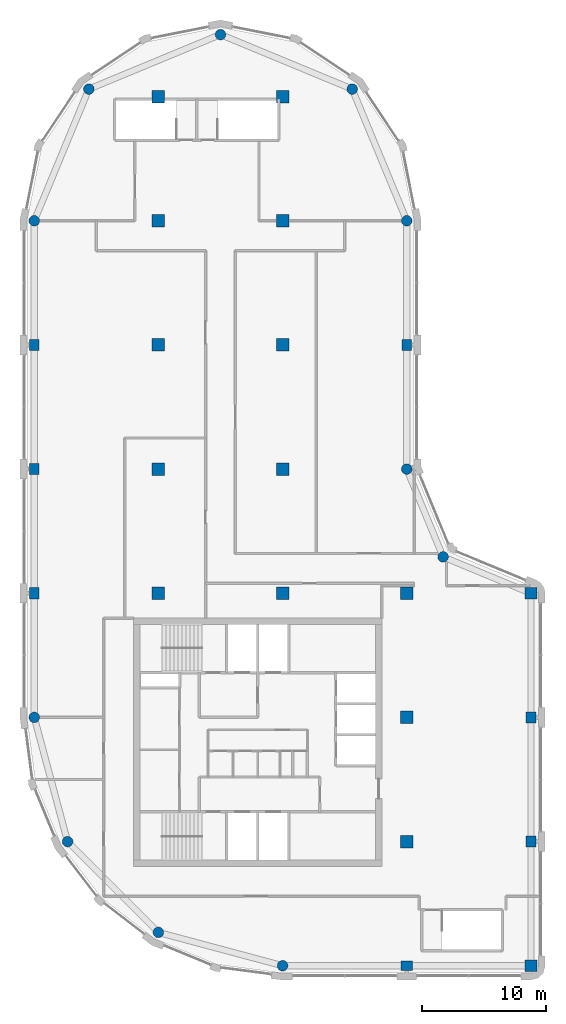
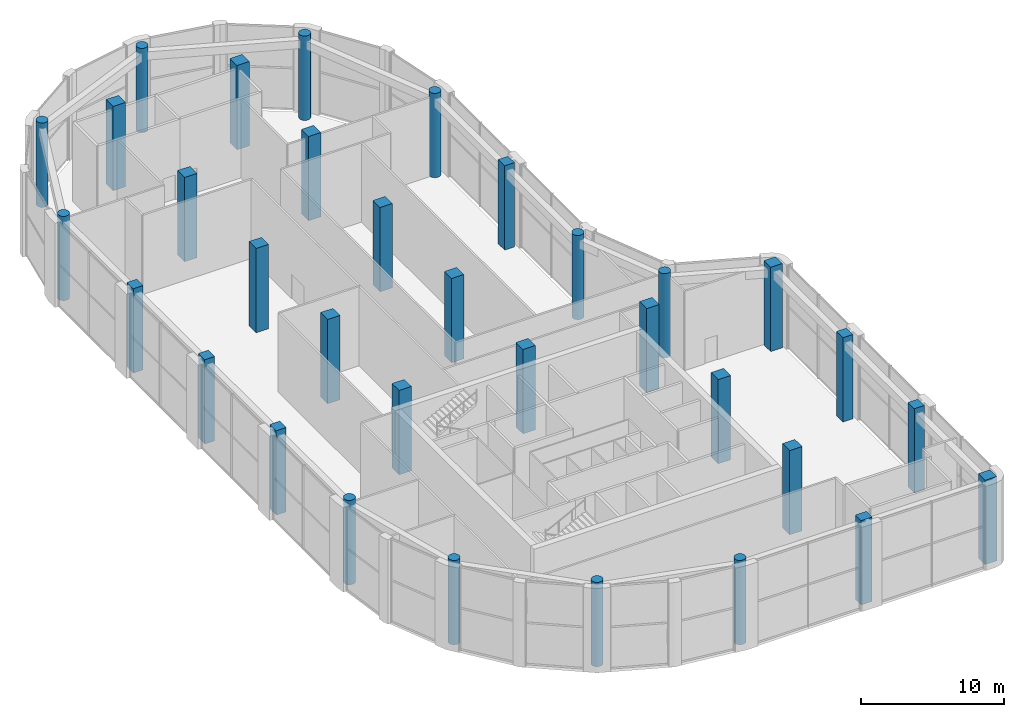
# One storey, part 1 of 14: 33 columns.
"""IFC4 building model written with IfcOpenShell, lengths in metres."""

from ifc_helpers import new_model, si_unit, direction, frame, origin, origin_2d, place, context, subcontext, project, spatial, rectangle, circle, extrude, material, material_profile, profile_set, type_object, element, save


model = new_model("IFC4")

# Units and contexts
model_context = context("Model", 3, precision=1e-05, world=origin(), true_north=direction((0.0, 1.0)))
body_context = subcontext(model_context, "Body", "Model", "MODEL_VIEW")
ifc_project = project(units=[si_unit("LENGTHUNIT", "METRE"), si_unit("AREAUNIT", "SQUARE_METRE"), si_unit("VOLUMEUNIT", "CUBIC_METRE"), si_unit("PLANEANGLEUNIT", "RADIAN"), si_unit("MASSUNIT", "GRAM", prefix="KILO")], contexts=[model_context])

# Site, building, storey
site_placement = place(None, origin())
site = spatial("IfcSite", under=ifc_project, at=site_placement, CompositionType="ELEMENT")
building_placement = place(site_placement, origin())
building = spatial("IfcBuilding", under=site, at=building_placement, Name="Qaws Garden Tower", CompositionType="ELEMENT")
storey_placement = place(building_placement, frame((0.0, 0.0, 358.199951171875)))
storey = spatial("IfcBuildingStorey", under=building, at=storey_placement, Name="L87", CompositionType="ELEMENT", Elevation=358.199951171875)

# Columns
ifc_material_1 = material(Name="Concrete C60", Category="concrete")
ifc_material_profile_1 = material_profile(ifc_material_1, rectangle(XDim=1.0, YDim=1.0, at=origin_2d()), Name="RC 1000x1000")
ifc_profile_set_1 = profile_set([ifc_material_profile_1], Name="Concrete C60")
column_type_1 = type_object("IfcColumnType", Name="Column RC 1000x1000 C60", PredefinedType="COLUMN", material=ifc_profile_set_1)
for number, where, z_axis, x_axis, name in (
    (1, (10.0, 30.0, 0.0), (0.0, 0.0, 1.0), (1.0, 0.0, 0.0), "Column L87-021"),
    (2, (10.0, 40.0, 0.0), (0.0, 0.0, 1.0), (1.0, 0.0, 0.0), "Column L87-022"),
    (3, (10.0, 50.0, 0.0), (0.0, 0.0, 1.0), (1.0, 0.0, 0.0), "Column L87-023"),
    (4, (10.0, 60.0, 0.0), (0.0, 0.0, 1.0), (1.0, 0.0, 0.0), "Column L87-024"),
    (5, (10.0, 70.0, 0.0), (0.0, 0.0, 1.0), (1.0, 0.0, 0.0), "Column L87-025"),
    (6, (20.0, 30.0, 0.0), (0.0, 0.0, 1.0), (1.0, 0.0, 0.0), "Column L87-026"),
    (7, (20.0, 40.0, 0.0), (0.0, 0.0, 1.0), (1.0, 0.0, 0.0), "Column L87-027"),
    (8, (20.0, 50.0, 0.0), (0.0, 0.0, 1.0), (1.0, 0.0, 0.0), "Column L87-028"),
    (9, (20.0, 60.0, 0.0), (0.0, 0.0, 1.0), (1.0, 0.0, 0.0), "Column L87-029"),
    (10, (20.0, 70.0, 0.0), (0.0, 0.0, 1.0), (1.0, 0.0, 0.0), "Column L87-030"),
    (11, (30.0, 10.0, 0.0), (0.0, 0.0, 1.0), (1.0, 0.0, 0.0), "Column L87-031"),
    (12, (30.0, 20.0, 0.0), (0.0, 0.0, 1.0), (1.0, 0.0, 0.0), "Column L87-032"),
    (13, (30.0, 30.0, 0.0), (0.0, 0.0, 1.0), (1.0, 0.0, 0.0), "Column L87-033"),
):
    element("IfcColumn", number, at=place(storey_placement, frame(where, z_axis=z_axis, x_axis=x_axis)), inside=storey, type_object=column_type_1, Name=name, PredefinedType="COLUMN", context=body_context, shape_type="SweptSolid", body=[
        extrude(rectangle(XDim=1.0, YDim=1.0, at=origin_2d()), origin(), (0.0, 0.0, 1.0), 7.199951171875),
    ])
ifc_material_2 = material(Name="Concrete C60", Category="concrete")
ifc_material_profile_2 = material_profile(ifc_material_2, rectangle(XDim=0.89990234375, YDim=0.800048828125, at=origin_2d()), Name="RC 900x800")
ifc_profile_set_2 = profile_set([ifc_material_profile_2], Name="Concrete C60")
column_type_2 = type_object("IfcColumnType", Name="Column RC 900x800 C60", PredefinedType="COLUMN", material=ifc_profile_set_2)
for number, where, z_axis, x_axis, name in (
    (14, (30.0, 0.0, 0.0), (0.0, 0.0, 1.0), (1.0, 0.0, 0.0), "Column L87-002"),
    (15, (40.0, 10.0, 0.0), (0.0, 0.0, 1.0), (0.0, 1.0, 0.0), "Column L87-004"),
    (16, (40.0, 20.0, 0.0), (0.0, 0.0, 1.0), (0.0, 1.0, 0.0), "Column L87-005"),
    (17, (30.0, 50.0, 0.0), (0.0, 0.0, 1.0), (0.0, 1.0, 0.0), "Column L87-009"),
    (18, (0.0, 50.0, 0.0), (0.0, 0.0, 1.0), (0.0, 1.0, 0.0), "Column L87-015"),
    (19, (0.0, 40.0, 0.0), (0.0, 0.0, 1.0), (0.0, 1.0, 0.0), "Column L87-016"),
    (20, (0.0, 30.0, 0.0), (0.0, 0.0, 1.0), (0.0, 1.0, 0.0), "Column L87-017"),
):
    element("IfcColumn", number, at=place(storey_placement, frame(where, z_axis=z_axis, x_axis=x_axis)), inside=storey, type_object=column_type_2, Name=name, PredefinedType="COLUMN", context=body_context, shape_type="SweptSolid", body=[
        extrude(rectangle(XDim=0.89990234375, YDim=0.800048828125, at=origin_2d()), origin(), (0.0, 0.0, 1.0), 7.199951171875),
    ])
ifc_material_3 = material(Name="Concrete C60", Category="concrete")
ifc_material_profile_3 = material_profile(ifc_material_3, rectangle(XDim=0.949951171875, YDim=0.949951171875, at=origin_2d()), Name="RC 950x950")
ifc_profile_set_3 = profile_set([ifc_material_profile_3], Name="Concrete C60")
column_type_3 = type_object("IfcColumnType", Name="Column RC 950x950 C60", PredefinedType="COLUMN", material=ifc_profile_set_3)
for number, where, z_axis, x_axis, name in (
    (21, (40.0, 0.0, 0.0), (0.0, 0.0, 1.0), (1.0, 0.0, 0.0), "Column L87-003"),
    (22, (40.0, 30.0, 0.0), (0.0, 0.0, 1.0), (1.0, 0.0, 0.0), "Column L87-006"),
):
    element("IfcColumn", number, at=place(storey_placement, frame(where, z_axis=z_axis, x_axis=x_axis)), inside=storey, type_object=column_type_3, Name=name, PredefinedType="COLUMN", context=body_context, shape_type="SweptSolid", body=[
        extrude(rectangle(XDim=0.949951171875, YDim=0.949951171875, at=origin_2d()), origin(), (0.0, 0.0, 1.0), 7.199951171875),
    ])
ifc_material_4 = material(Name="Concrete C60", Category="concrete")
ifc_material_profile_4 = material_profile(ifc_material_4, circle(Radius=0.425048828125, at=origin_2d()), Name="RC D850")
ifc_profile_set_4 = profile_set([ifc_material_profile_4], Name="Concrete C60")
column_type_4 = type_object("IfcColumnType", Name="Column RC D850 C60", PredefinedType="COLUMN", material=ifc_profile_set_4)
for number, where, z_axis, x_axis, name in (
    (23, (20.0, 0.0, 0.0), (0.0, 0.0, 1.0), (1.0, 0.0, 0.0), "Column L87-001"),
    (24, (32.928955078125, 32.928955078125, 0.0), (0.0, 0.0, 1.0), (1.0, 0.0, 0.0), "Column L87-007"),
    (25, (30.0, 40.0, 0.0), (0.0, 0.0, 1.0), (1.0, 0.0, 0.0), "Column L87-008"),
    (26, (30.0, 60.0, 0.0), (0.0, 0.0, 1.0), (1.0, 0.0, 0.0), "Column L87-010"),
    (27, (25.606689453125, 70.606689453125, 0.0), (0.0, 0.0, 1.0), (1.0, 0.0, 0.0), "Column L87-011"),
    (28, (15.0, 75.0, 0.0), (0.0, 0.0, 1.0), (1.0, 0.0, 0.0), "Column L87-012"),
    (29, (4.393310546875, 70.606689453125, 0.0), (0.0, 0.0, 1.0), (1.0, 0.0, 0.0), "Column L87-013"),
    (30, (0.0, 60.0, 0.0), (0.0, 0.0, 1.0), (1.0, 0.0, 0.0), "Column L87-014"),
    (31, (0.0, 20.0, 0.0), (0.0, 0.0, 1.0), (1.0, 0.0, 0.0), "Column L87-018"),
    (32, (2.679443359375, 10.0, 0.0), (0.0, 0.0, 1.0), (1.0, 0.0, 0.0), "Column L87-019"),
    (33, (10.0, 2.679443359375, 0.0), (0.0, 0.0, 1.0), (1.0, 0.0, 0.0), "Column L87-020"),
):
    element("IfcColumn", number, at=place(storey_placement, frame(where, z_axis=z_axis, x_axis=x_axis)), inside=storey, type_object=column_type_4, Name=name, PredefinedType="COLUMN", context=body_context, shape_type="SweptSolid", body=[
        extrude(circle(Radius=0.425048828125, at=origin_2d()), origin(), (0.0, 0.0, 1.0), 7.199951171875),
    ])

save(model, "model.ifc")
